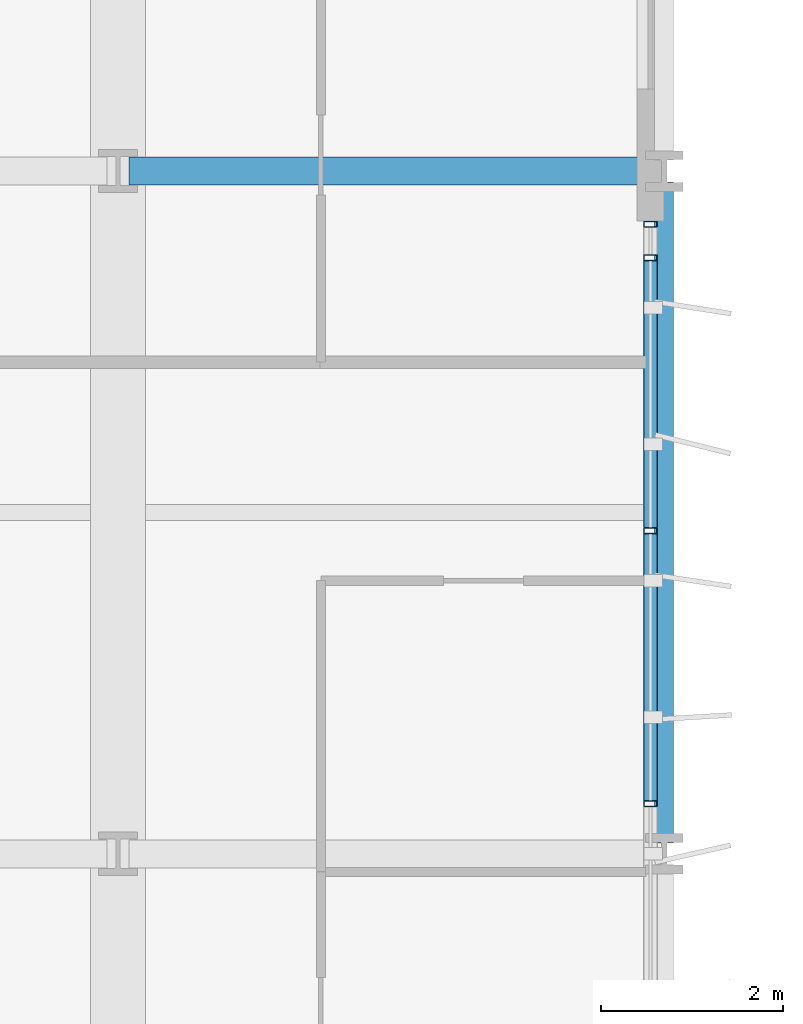
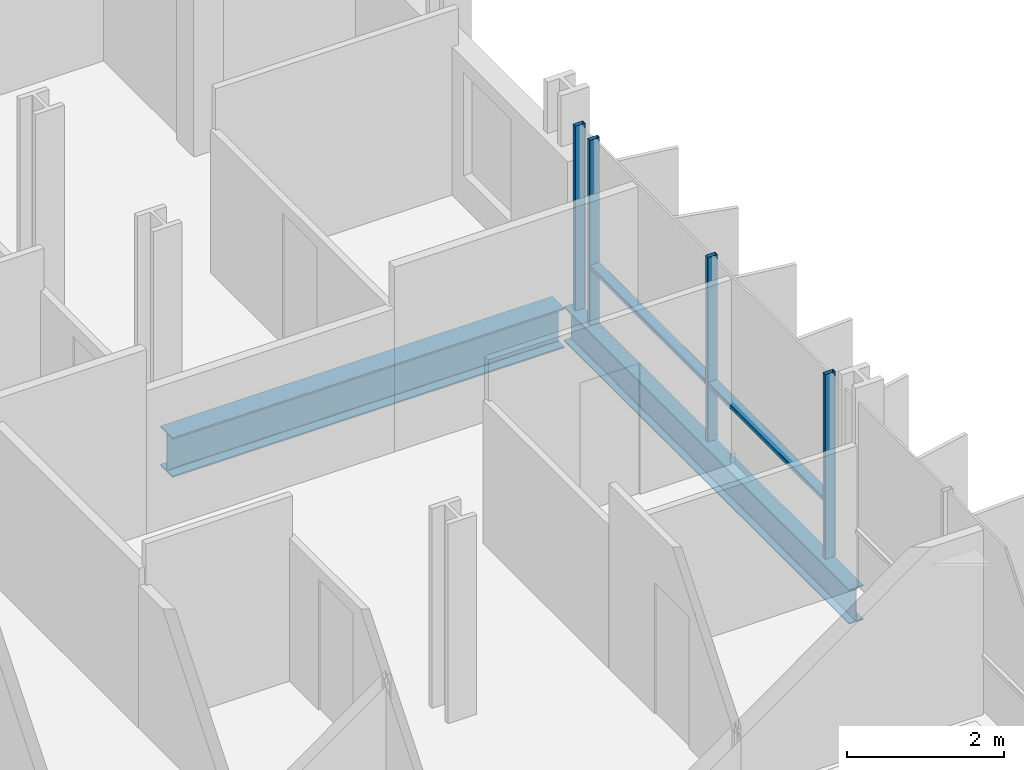
# One storey, part 19 of 38: 6 members, 2 beams, 1 element without a shape of its own.
"""IFC4 building model written with IfcOpenShell, lengths in metres."""

import ifcopenshell
import ifcopenshell.guid

model = None  # the IFC model being written
_history = None  # IfcOwnerHistory: only IFC2X3 demands one
_inside = {}  # id of a spatial element -> (the spatial element, [elements in it])
_under = {}  # id of a project, library or spatial element -> (it, [spatial elements below it])
_declared = {}  # id of a project -> (the project, [libraries it declares])
_typed = {}  # id of a type object -> (the type object, [elements of that type])
_made_of = {}  # id of a material, layer set ... -> (it, [elements and type objects made of it])


def new_model(schema):
    """Start an empty IFC model of exactly this schema.

    Asked for "IFC4X3", IfcOpenShell would pick the latest addendum, in which some entities
    have other attributes; the version numbers below select the first issue.
    IFC2X3 requires an IfcOwnerHistory on every rooted entity: one is made here for all.
    """
    global model, _history
    if schema == "IFC4X3":
        model = ifcopenshell.file(schema_version=(4, 3, 0, 0))
    else:
        model = ifcopenshell.file(schema=schema)
    _inside.clear()
    _under.clear()
    _declared.clear()
    _typed.clear()
    _made_of.clear()
    _history = None
    if model.schema == "IFC2X3":
        org = make("IfcOrganization", Name="unknown")
        user = make(
            "IfcPersonAndOrganization",
            ThePerson=make("IfcPerson", FamilyName="unknown"),
            TheOrganization=org,
        )
        app = make(
            "IfcApplication",
            ApplicationDeveloper=org,
            Version="unknown",
            ApplicationFullName="unknown",
            ApplicationIdentifier="unknown",
        )
        _history = make(
            "IfcOwnerHistory",
            OwningUser=user,
            OwningApplication=app,
            ChangeAction="ADDED",
            CreationDate=0,
        )
    return model


def make(cls, **values):
    """One entity of the class cls with the attributes given. An attribute that is None is left unset."""
    return model.create_entity(
        cls, **{name: value for name, value in values.items() if value is not None}
    )


def rooted(cls, **values):
    """An entity with a GlobalId (a new one), such as an element, a storey or a relation."""
    return make(cls, GlobalId=ifcopenshell.guid.new(), OwnerHistory=_history, **values)


def si_unit(unit_type, name, prefix=None):
    """IfcSIUnit, for example si_unit("LENGTHUNIT", "METRE", prefix="MILLI")."""
    return make("IfcSIUnit", UnitType=unit_type, Prefix=prefix, Name=name)


def assignment(units):
    """IfcUnitAssignment: the units of a project."""
    return None if units is None else make("IfcUnitAssignment", Units=units)


def point(xyz):
    """IfcCartesianPoint."""
    return None if xyz is None else make("IfcCartesianPoint", Coordinates=xyz)


def direction(xyz):
    """IfcDirection."""
    return None if xyz is None else make("IfcDirection", DirectionRatios=xyz)


def frame(location, z_axis=None, x_axis=None):
    """IfcAxis2Placement3D, a coordinate frame: its origin and axes. An axis left out is left unset."""
    return make(
        "IfcAxis2Placement3D",
        Location=point(location),
        Axis=direction(z_axis),
        RefDirection=direction(x_axis),
    )


def frame_2d(location, x_axis=None):
    """IfcAxis2Placement2D, a coordinate frame in the plane: its origin and x axis."""
    return make(
        "IfcAxis2Placement2D", Location=point(location), RefDirection=direction(x_axis)
    )


def origin():
    """The frame at (0, 0, 0) with its axes left unset."""
    return frame((0.0, 0.0, 0.0))


def origin_2d():
    """The frame at (0, 0) in the plane with its x axis left unset."""
    return frame_2d((0.0, 0.0))


def place(relative_to, where):
    """IfcLocalPlacement: puts the frame where relative to a parent placement (None: the world)."""
    return make(
        "IfcLocalPlacement", PlacementRelTo=relative_to, RelativePlacement=where
    )


def context(
    kind, dimensions, precision=None, world=None, true_north=None, identifier=None
):
    """IfcGeometricRepresentationContext, for example the 3D "Model" context."""
    return make(
        "IfcGeometricRepresentationContext",
        ContextIdentifier=identifier,
        ContextType=kind,
        CoordinateSpaceDimension=dimensions,
        Precision=precision,
        WorldCoordinateSystem=world,
        TrueNorth=true_north,
    )


def subcontext(parent, identifier, kind, view, scale=None):
    """IfcGeometricRepresentationSubContext, for example "Body" below "Model"."""
    return make(
        "IfcGeometricRepresentationSubContext",
        ContextIdentifier=identifier,
        ContextType=kind,
        ParentContext=parent,
        TargetScale=scale,
        TargetView=view,
    )


def project(units=None, contexts=None):
    """IfcProject with its units and contexts."""
    return rooted(
        "IfcProject",
        Name="project",
        RepresentationContexts=contexts,
        UnitsInContext=assignment(units),
    )


def spatial(cls, under=None, at=None, **own):
    """A site, building, storey or space (cls), placed at a placement, below another one or the project."""
    s = rooted(cls, ObjectPlacement=at, **own)
    if under is not None:
        _under.setdefault(under.id(), (under, []))[1].append(s)
    return s


def profile(cls, at=None, kind="AREA", **sizes):
    """A parametric profile (cls). Its sizes go by their IFC names, for example OverallWidth=200.0."""
    return make(cls, ProfileType=kind, Position=at, **sizes)


def hollow_rectangle(**sizes):
    """IfcRectangleHollowProfileDef."""
    return profile("IfcRectangleHollowProfileDef", **sizes)


def i_section(**sizes):
    """IfcIShapeProfileDef."""
    return profile("IfcIShapeProfileDef", **sizes)


def extrude(swept, where, along, depth):
    """IfcExtrudedAreaSolid: the profile swept, set in the frame where, extruded along a direction by depth."""
    return make(
        "IfcExtrudedAreaSolid",
        SweptArea=swept,
        Position=where,
        ExtrudedDirection=direction(along),
        Depth=depth,
    )


def shape(context_of_items, identifier, shape_type, items):
    """IfcShapeRepresentation: the items that make up one representation, for example the "Body"."""
    return make(
        "IfcShapeRepresentation",
        ContextOfItems=context_of_items,
        RepresentationIdentifier=identifier,
        RepresentationType=shape_type,
        Items=items,
    )


def material(Name=None, Category=None):
    """IfcMaterial."""
    return make("IfcMaterial", Name=Name, Category=Category)


def layer(
    of_material, thickness, ventilated=None, Name=None, Category=None, Priority=None
):
    """IfcMaterialLayer: one layer of a wall or slab, of a material (None: an air gap)."""
    return make(
        "IfcMaterialLayer",
        Material=of_material,
        LayerThickness=thickness,
        IsVentilated=ventilated,
        Name=Name,
        Category=Category,
        Priority=Priority,
    )


def layer_set(layers, Name=None):
    """IfcMaterialLayerSet."""
    return make("IfcMaterialLayerSet", MaterialLayers=layers, LayerSetName=Name)


def material_profile(
    of_material, cross_section, Name=None, Category=None, Priority=None
):
    """IfcMaterialProfile: a cross section and its material."""
    return make(
        "IfcMaterialProfile",
        Name=Name,
        Material=of_material,
        Profile=cross_section,
        Priority=Priority,
        Category=Category,
    )


def profile_set(profiles, Name=None, composite=None):
    """IfcMaterialProfileSet."""
    return make(
        "IfcMaterialProfileSet",
        Name=Name,
        MaterialProfiles=profiles,
        CompositeProfile=composite,
    )


def made_of(thing, what):
    """Note that an element or type object is made of a material, layer set ...; save() writes the relation."""
    if what is not None:
        _made_of.setdefault(what.id(), (what, []))[1].append(thing)
    return thing


def type_object(cls, material=None, **own):
    """A type object (cls), such as IfcWallType, which elements share."""
    return made_of(rooted(cls, **own), material)


def element(
    cls,
    number,
    at=None,
    inside=None,
    cuts=None,
    type_object=None,
    material=None,
    context=None,
    identifier="Body",
    shape_type=None,
    held_by="IfcProductDefinitionShape",
    body=None,
    shapes=None,
    **own,
):
    """One element of the class cls, such as IfcWall. Its Tag is "e" and its number.

    at: its placement. inside: the storey or other place that contains it. cuts: it is an
    opening in that element (IfcRelVoidsElement). A single representation is given by context,
    identifier, shape_type and body (its items); several are given by shapes. held_by: the class
    of the entity that holds the representations. save() writes the other relations.
    """
    e = rooted(cls, Tag="e%d" % number, ObjectPlacement=at, **own)
    if body is not None:
        shapes = [shape(context, identifier, shape_type, body)]
    if shapes is not None:
        e.Representation = make(held_by, Representations=shapes)
    if inside is not None:
        _inside.setdefault(inside.id(), (inside, []))[1].append(e)
    if cuts is not None:
        rooted(
            "IfcRelVoidsElement", RelatingBuildingElement=cuts, RelatedOpeningElement=e
        )
    if type_object is not None:
        _typed.setdefault(type_object.id(), (type_object, []))[1].append(e)
    return made_of(e, material)


def aggregate(whole, parts):
    """IfcRelAggregates: a whole, such as a stair, and the parts it consists of."""
    return rooted("IfcRelAggregates", RelatingObject=whole, RelatedObjects=parts)


def save(model, path):
    """Write the relations noted so far, then the file.

    IfcRelAggregates (storeys below a building ...), IfcRelContainedInSpatialStructure (elements
    in a storey), IfcRelDefinesByType, IfcRelAssociatesMaterial and IfcRelDeclares: one each for
    every whole, place, type object, material and project.
    """
    for whole, parts in _under.values():
        aggregate(whole, parts)
    for where, things in _inside.values():
        rooted(
            "IfcRelContainedInSpatialStructure",
            RelatedElements=things,
            RelatingStructure=where,
        )
    for kind, things in _typed.values():
        rooted("IfcRelDefinesByType", RelatedObjects=things, RelatingType=kind)
    for what, things in _made_of.values():
        rooted("IfcRelAssociatesMaterial", RelatedObjects=things, RelatingMaterial=what)
    for by, libraries in _declared.values():
        rooted("IfcRelDeclares", RelatingContext=by, RelatedDefinitions=libraries)
    model.write(path)


model = new_model("IFC4")

# Units and contexts
model_context = context("Model", 3, precision=1e-05, world=origin(), true_north=direction((0.0, 1.0)))
body_context = subcontext(model_context, "Body", "Model", "MODEL_VIEW")
ifc_project = project(units=[si_unit("LENGTHUNIT", "METRE"), si_unit("AREAUNIT", "SQUARE_METRE"), si_unit("VOLUMEUNIT", "CUBIC_METRE"), si_unit("PLANEANGLEUNIT", "RADIAN"), si_unit("MASSUNIT", "GRAM", prefix="KILO")], contexts=[model_context])

# Site, building, storey
site_placement = place(None, origin())
site = spatial("IfcSite", under=ifc_project, at=site_placement, CompositionType="ELEMENT")
building_placement = place(site_placement, origin())
building = spatial("IfcBuilding", under=site, at=building_placement, Name="Brevholm Reach", CompositionType="ELEMENT")
storey_placement = place(building_placement, frame((0.0, 0.0, 28.0)))
storey = spatial("IfcBuildingStorey", under=building, at=storey_placement, Name="L06", CompositionType="ELEMENT", Elevation=28.0)

# Beams
ifc_material_1 = material(Name="Structural Steel S355J2", Category="steel")
ifc_material_profile_1 = material_profile(ifc_material_1, i_section(OverallWidth=0.210693359375, OverallDepth=0.53955078125, WebThickness=0.01171875, FlangeThickness=0.018798828125, FilletRadius=0.0126953125, at=origin_2d()), Name="UKB 533x210x109")
ifc_profile_set_1 = profile_set([ifc_material_profile_1], Name="Structural Steel S355J2")
beam_type_1 = type_object("IfcBeamType", Name="BM-SP539", PredefinedType="SPANDREL", material=ifc_profile_set_1)
beam_1_placement = place(storey_placement, frame((60.0, 16.1201171875, -0.539794921875), z_axis=(0.0, 1.0, 0.0), x_axis=(-1.0, 0.0, 0.0)))
element("IfcBeam", 1, at=beam_1_placement, inside=storey, type_object=beam_type_1, Name="L06 SP-01B Framing Beam", PredefinedType="SPANDREL", context=body_context, shape_type="SweptSolid", body=[
    extrude(i_section(OverallWidth=0.210693359375, OverallDepth=0.53955078125, WebThickness=0.01171875, FlangeThickness=0.018798828125, FilletRadius=0.0126953125, at=origin_2d()), origin(), (0.0, 0.0, 1.0), 7.259765625),
])
ifc_material_2 = material(Name="Structural Steel S355J2", Category="steel")
ifc_material_profile_2 = material_profile(ifc_material_2, i_section(OverallWidth=0.30712890625, OverallDepth=0.6201171875, WebThickness=0.01416015625, FlangeThickness=0.023681640625, FilletRadius=0.0166015625, at=origin_2d()), Name="UKB 610x305x179")
ifc_profile_set_2 = profile_set([ifc_material_profile_2], Name="Structural Steel S355J2")
beam_type_2 = type_object("IfcBeamType", Name="BM-UKB610H", PredefinedType="USERDEFINED", material=ifc_profile_set_2)
beam_2_placement = place(storey_placement, frame((54.1201171875, 23.5, -0.580078125), z_axis=(1.0, 0.0, 0.0), x_axis=(0.0, 1.0, 0.0)))
element("IfcBeam", 2, at=beam_2_placement, inside=storey, type_object=beam_type_2, Name="L06 G-06 Framing Beam", ObjectType="GIRDER", PredefinedType="USERDEFINED", context=body_context, shape_type="SweptSolid", body=[
    extrude(i_section(OverallWidth=0.30712890625, OverallDepth=0.6201171875, WebThickness=0.01416015625, FlangeThickness=0.023681640625, FilletRadius=0.0166015625, at=origin_2d()), origin(), (0.0, 0.0, 1.0), 5.759765625),
])

# Curtain wall, members
ifc_material_3 = material(Name="Dark Anodised Aluminium 6063-T6 and Solar-Control Glass", Category="aluminium")
ifc_layer = layer(ifc_material_3, 0.14990234375)
ifc_layer_set = layer_set([ifc_layer], Name="Dark Anodised Aluminium 6063-T6 and Solar-Control Glass")
curtain_wall_type = type_object("IfcCurtainWallType", Name="CW-01", PredefinedType="NOTDEFINED", material=ifc_layer_set)
curtain_wall_placement = place(storey_placement, origin())
curtain_wall = element("IfcCurtainWall", 3, at=curtain_wall_placement, inside=storey, type_object=curtain_wall_type, Name="L06 Curtain Wall CW-01", PredefinedType="NOTDEFINED")
ifc_material_4 = material(Name="Dark Anodised Aluminium 6063-T6", Category="aluminium")
ifc_material_profile_3 = material_profile(ifc_material_4, hollow_rectangle(XDim=0.06494140625, YDim=0.14990234375, WallThickness=0.0048828125, InnerFilletRadius=0.0048828125, OuterFilletRadius=0.010009765625, at=origin_2d()), Name="RHS 150x65x5")
ifc_profile_set_3 = profile_set([ifc_material_profile_3], Name="Dark Anodised Aluminium 6063-T6")
member_type_1 = type_object("IfcMemberType", Name="CWM-150", PredefinedType="MULLION", material=ifc_profile_set_3)
member_1_placement = place(storey_placement, frame((59.85009765625, 16.550048828125, 0.0), z_axis=(0.0, 0.0, 1.0), x_axis=(0.0, 1.0, 0.0)))
member_1 = element("IfcMember", 4, at=member_1_placement, type_object=member_type_1, Name="CM-150 Mullion 3", PredefinedType="MULLION", context=body_context, shape_type="SweptSolid", body=[
    extrude(hollow_rectangle(XDim=0.06494140625, YDim=0.14990234375, WallThickness=0.0048828125, InnerFilletRadius=0.0048828125, OuterFilletRadius=0.010009765625, at=origin_2d()), origin(), (0.0, 0.0, 1.0), 2.8701171875),
])
member_2_placement = place(storey_placement, frame((59.85009765625, 19.550048828125, 0.0), z_axis=(0.0, 0.0, 1.0), x_axis=(0.0, 1.0, 0.0)))
member_2 = element("IfcMember", 5, at=member_2_placement, type_object=member_type_1, Name="CM-150 Mullion 4", PredefinedType="MULLION", context=body_context, shape_type="SweptSolid", body=[
    extrude(hollow_rectangle(XDim=0.06494140625, YDim=0.14990234375, WallThickness=0.0048828125, InnerFilletRadius=0.0048828125, OuterFilletRadius=0.010009765625, at=origin_2d()), origin(), (0.0, 0.0, 1.0), 2.8701171875),
])
member_3_placement = place(storey_placement, frame((59.85009765625, 22.550048828125, 0.0), z_axis=(0.0, 0.0, 1.0), x_axis=(0.0, 1.0, 0.0)))
member_3 = element("IfcMember", 6, at=member_3_placement, type_object=member_type_1, Name="CM-150 Mullion 5", PredefinedType="MULLION", context=body_context, shape_type="SweptSolid", body=[
    extrude(hollow_rectangle(XDim=0.06494140625, YDim=0.14990234375, WallThickness=0.0048828125, InnerFilletRadius=0.0048828125, OuterFilletRadius=0.010009765625, at=origin_2d()), origin(), (0.0, 0.0, 1.0), 2.8701171875),
])
member_4_placement = place(storey_placement, frame((59.85009765625, 22.91748046875, 0.0), z_axis=(0.0, 0.0, 1.0), x_axis=(0.0, 1.0, 0.0)))
member_4 = element("IfcMember", 7, at=member_4_placement, type_object=member_type_1, Name="CM-150 Mullion 6", PredefinedType="MULLION", context=body_context, shape_type="SweptSolid", body=[
    extrude(hollow_rectangle(XDim=0.06494140625, YDim=0.14990234375, WallThickness=0.0048828125, InnerFilletRadius=0.0048828125, OuterFilletRadius=0.010009765625, at=origin_2d()), origin(), (0.0, 0.0, 1.0), 2.8701171875),
])
ifc_material_5 = material(Name="Dark Anodised Aluminium 6063-T6", Category="aluminium")
ifc_material_profile_4 = material_profile(ifc_material_5, hollow_rectangle(XDim=0.06494140625, YDim=0.14990234375, WallThickness=0.0048828125, InnerFilletRadius=0.0048828125, OuterFilletRadius=0.010009765625, at=origin_2d()), Name="RHS 150x65x5")
ifc_profile_set_4 = profile_set([ifc_material_profile_4], Name="Dark Anodised Aluminium 6063-T6")
member_type_2 = type_object("IfcMemberType", Name="CWT-150", PredefinedType="NOTDEFINED", material=ifc_profile_set_4)
member_5_placement = place(storey_placement, frame((59.85009765625, 16.58251953125, 0.89990234375), z_axis=(0.0, 1.0, 0.0), x_axis=(0.0, 0.0, 1.0)))
member_5 = element("IfcMember", 8, at=member_5_placement, type_object=member_type_2, Name="CT-150 Transom 3.1", ObjectType="TRANSOM", PredefinedType="USERDEFINED", context=body_context, shape_type="SweptSolid", body=[
    extrude(hollow_rectangle(XDim=0.06494140625, YDim=0.14990234375, WallThickness=0.0048828125, InnerFilletRadius=0.0048828125, OuterFilletRadius=0.010009765625, at=origin_2d()), origin(), (0.0, 0.0, 1.0), 2.93505859375),
])
member_6_placement = place(storey_placement, frame((59.85009765625, 19.58251953125, 0.89990234375), z_axis=(0.0, 1.0, 0.0), x_axis=(0.0, 0.0, 1.0)))
member_6 = element("IfcMember", 9, at=member_6_placement, type_object=member_type_2, Name="CT-150 Transom 4.1", ObjectType="TRANSOM", PredefinedType="USERDEFINED", context=body_context, shape_type="SweptSolid", body=[
    extrude(hollow_rectangle(XDim=0.06494140625, YDim=0.14990234375, WallThickness=0.0048828125, InnerFilletRadius=0.0048828125, OuterFilletRadius=0.010009765625, at=origin_2d()), origin(), (0.0, 0.0, 1.0), 2.93505859375),
])
aggregate(curtain_wall, [member_1, member_2, member_3, member_4, member_5, member_6])

save(model, "model.ifc")
